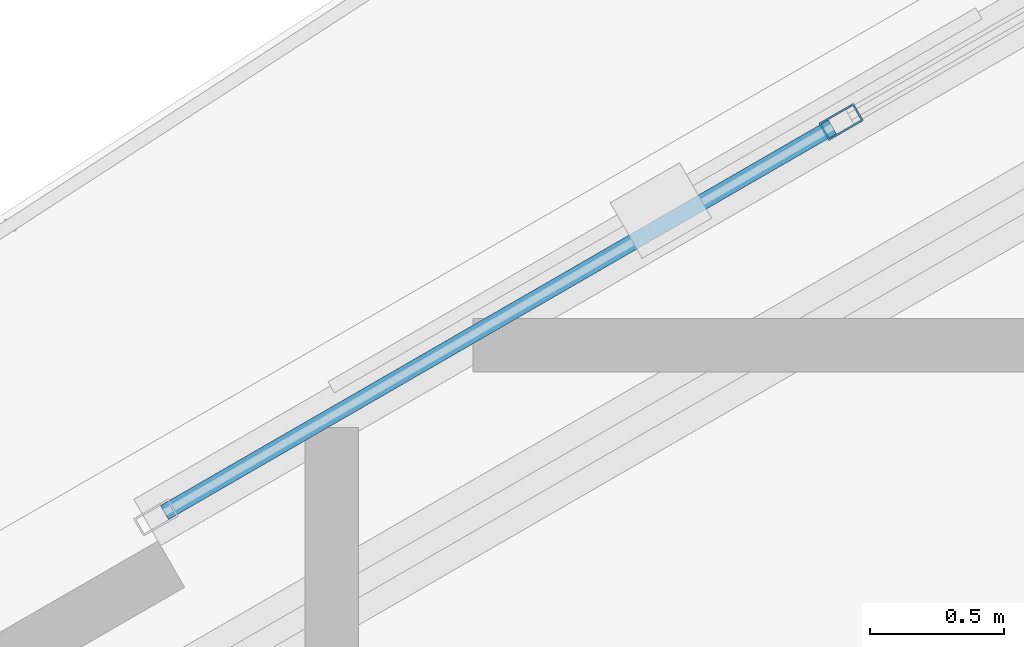
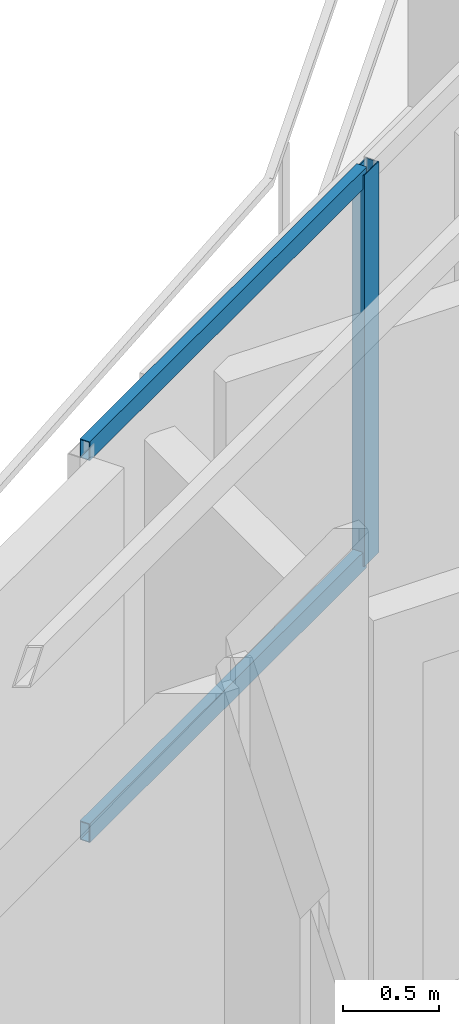
# One storey, part 8 of 22: 3 members, 1 element without a shape of its own.
"""IFC4 building model written with IfcOpenShell, lengths in metres."""

import ifcopenshell
import ifcopenshell.guid

model = None  # the IFC model being written
_history = None  # IfcOwnerHistory: only IFC2X3 demands one
_inside = {}  # id of a spatial element -> (the spatial element, [elements in it])
_under = {}  # id of a project, library or spatial element -> (it, [spatial elements below it])
_declared = {}  # id of a project -> (the project, [libraries it declares])
_typed = {}  # id of a type object -> (the type object, [elements of that type])
_made_of = {}  # id of a material, layer set ... -> (it, [elements and type objects made of it])


def new_model(schema):
    """Start an empty IFC model of exactly this schema.

    Asked for "IFC4X3", IfcOpenShell would pick the latest addendum, in which some entities
    have other attributes; the version numbers below select the first issue.
    IFC2X3 requires an IfcOwnerHistory on every rooted entity: one is made here for all.
    """
    global model, _history
    if schema == "IFC4X3":
        model = ifcopenshell.file(schema_version=(4, 3, 0, 0))
    else:
        model = ifcopenshell.file(schema=schema)
    _inside.clear()
    _under.clear()
    _declared.clear()
    _typed.clear()
    _made_of.clear()
    _history = None
    if model.schema == "IFC2X3":
        org = make("IfcOrganization", Name="unknown")
        user = make(
            "IfcPersonAndOrganization",
            ThePerson=make("IfcPerson", FamilyName="unknown"),
            TheOrganization=org,
        )
        app = make(
            "IfcApplication",
            ApplicationDeveloper=org,
            Version="unknown",
            ApplicationFullName="unknown",
            ApplicationIdentifier="unknown",
        )
        _history = make(
            "IfcOwnerHistory",
            OwningUser=user,
            OwningApplication=app,
            ChangeAction="ADDED",
            CreationDate=0,
        )
    return model


def make(cls, **values):
    """One entity of the class cls with the attributes given. An attribute that is None is left unset."""
    return model.create_entity(
        cls, **{name: value for name, value in values.items() if value is not None}
    )


def rooted(cls, **values):
    """An entity with a GlobalId (a new one), such as an element, a storey or a relation."""
    return make(cls, GlobalId=ifcopenshell.guid.new(), OwnerHistory=_history, **values)


def si_unit(unit_type, name, prefix=None):
    """IfcSIUnit, for example si_unit("LENGTHUNIT", "METRE", prefix="MILLI")."""
    return make("IfcSIUnit", UnitType=unit_type, Prefix=prefix, Name=name)


def assignment(units):
    """IfcUnitAssignment: the units of a project."""
    return None if units is None else make("IfcUnitAssignment", Units=units)


def point(xyz):
    """IfcCartesianPoint."""
    return None if xyz is None else make("IfcCartesianPoint", Coordinates=xyz)


def direction(xyz):
    """IfcDirection."""
    return None if xyz is None else make("IfcDirection", DirectionRatios=xyz)


def frame(location, z_axis=None, x_axis=None):
    """IfcAxis2Placement3D, a coordinate frame: its origin and axes. An axis left out is left unset."""
    return make(
        "IfcAxis2Placement3D",
        Location=point(location),
        Axis=direction(z_axis),
        RefDirection=direction(x_axis),
    )


def frame_2d(location, x_axis=None):
    """IfcAxis2Placement2D, a coordinate frame in the plane: its origin and x axis."""
    return make(
        "IfcAxis2Placement2D", Location=point(location), RefDirection=direction(x_axis)
    )


def origin():
    """The frame at (0, 0, 0) with its axes left unset."""
    return frame((0.0, 0.0, 0.0))


def origin_2d():
    """The frame at (0, 0) in the plane with its x axis left unset."""
    return frame_2d((0.0, 0.0))


def place(relative_to, where):
    """IfcLocalPlacement: puts the frame where relative to a parent placement (None: the world)."""
    return make(
        "IfcLocalPlacement", PlacementRelTo=relative_to, RelativePlacement=where
    )


def context(
    kind, dimensions, precision=None, world=None, true_north=None, identifier=None
):
    """IfcGeometricRepresentationContext, for example the 3D "Model" context."""
    return make(
        "IfcGeometricRepresentationContext",
        ContextIdentifier=identifier,
        ContextType=kind,
        CoordinateSpaceDimension=dimensions,
        Precision=precision,
        WorldCoordinateSystem=world,
        TrueNorth=true_north,
    )


def subcontext(parent, identifier, kind, view, scale=None):
    """IfcGeometricRepresentationSubContext, for example "Body" below "Model"."""
    return make(
        "IfcGeometricRepresentationSubContext",
        ContextIdentifier=identifier,
        ContextType=kind,
        ParentContext=parent,
        TargetScale=scale,
        TargetView=view,
    )


def project(units=None, contexts=None):
    """IfcProject with its units and contexts."""
    return rooted(
        "IfcProject",
        Name="project",
        RepresentationContexts=contexts,
        UnitsInContext=assignment(units),
    )


def spatial(cls, under=None, at=None, **own):
    """A site, building, storey or space (cls), placed at a placement, below another one or the project."""
    s = rooted(cls, ObjectPlacement=at, **own)
    if under is not None:
        _under.setdefault(under.id(), (under, []))[1].append(s)
    return s


def profile(cls, at=None, kind="AREA", **sizes):
    """A parametric profile (cls). Its sizes go by their IFC names, for example OverallWidth=200.0."""
    return make(cls, ProfileType=kind, Position=at, **sizes)


def hollow_rectangle(**sizes):
    """IfcRectangleHollowProfileDef."""
    return profile("IfcRectangleHollowProfileDef", **sizes)


def extrude(swept, where, along, depth):
    """IfcExtrudedAreaSolid: the profile swept, set in the frame where, extruded along a direction by depth."""
    return make(
        "IfcExtrudedAreaSolid",
        SweptArea=swept,
        Position=where,
        ExtrudedDirection=direction(along),
        Depth=depth,
    )


def shape(context_of_items, identifier, shape_type, items):
    """IfcShapeRepresentation: the items that make up one representation, for example the "Body"."""
    return make(
        "IfcShapeRepresentation",
        ContextOfItems=context_of_items,
        RepresentationIdentifier=identifier,
        RepresentationType=shape_type,
        Items=items,
    )


def material(Name=None, Category=None):
    """IfcMaterial."""
    return make("IfcMaterial", Name=Name, Category=Category)


def layer(
    of_material, thickness, ventilated=None, Name=None, Category=None, Priority=None
):
    """IfcMaterialLayer: one layer of a wall or slab, of a material (None: an air gap)."""
    return make(
        "IfcMaterialLayer",
        Material=of_material,
        LayerThickness=thickness,
        IsVentilated=ventilated,
        Name=Name,
        Category=Category,
        Priority=Priority,
    )


def layer_set(layers, Name=None):
    """IfcMaterialLayerSet."""
    return make("IfcMaterialLayerSet", MaterialLayers=layers, LayerSetName=Name)


def material_profile(
    of_material, cross_section, Name=None, Category=None, Priority=None
):
    """IfcMaterialProfile: a cross section and its material."""
    return make(
        "IfcMaterialProfile",
        Name=Name,
        Material=of_material,
        Profile=cross_section,
        Priority=Priority,
        Category=Category,
    )


def profile_set(profiles, Name=None, composite=None):
    """IfcMaterialProfileSet."""
    return make(
        "IfcMaterialProfileSet",
        Name=Name,
        MaterialProfiles=profiles,
        CompositeProfile=composite,
    )


def made_of(thing, what):
    """Note that an element or type object is made of a material, layer set ...; save() writes the relation."""
    if what is not None:
        _made_of.setdefault(what.id(), (what, []))[1].append(thing)
    return thing


def type_object(cls, material=None, **own):
    """A type object (cls), such as IfcWallType, which elements share."""
    return made_of(rooted(cls, **own), material)


def element(
    cls,
    number,
    at=None,
    inside=None,
    cuts=None,
    type_object=None,
    material=None,
    context=None,
    identifier="Body",
    shape_type=None,
    held_by="IfcProductDefinitionShape",
    body=None,
    shapes=None,
    **own,
):
    """One element of the class cls, such as IfcWall. Its Tag is "e" and its number.

    at: its placement. inside: the storey or other place that contains it. cuts: it is an
    opening in that element (IfcRelVoidsElement). A single representation is given by context,
    identifier, shape_type and body (its items); several are given by shapes. held_by: the class
    of the entity that holds the representations. save() writes the other relations.
    """
    e = rooted(cls, Tag="e%d" % number, ObjectPlacement=at, **own)
    if body is not None:
        shapes = [shape(context, identifier, shape_type, body)]
    if shapes is not None:
        e.Representation = make(held_by, Representations=shapes)
    if inside is not None:
        _inside.setdefault(inside.id(), (inside, []))[1].append(e)
    if cuts is not None:
        rooted(
            "IfcRelVoidsElement", RelatingBuildingElement=cuts, RelatedOpeningElement=e
        )
    if type_object is not None:
        _typed.setdefault(type_object.id(), (type_object, []))[1].append(e)
    return made_of(e, material)


def aggregate(whole, parts):
    """IfcRelAggregates: a whole, such as a stair, and the parts it consists of."""
    return rooted("IfcRelAggregates", RelatingObject=whole, RelatedObjects=parts)


def save(model, path):
    """Write the relations noted so far, then the file.

    IfcRelAggregates (storeys below a building ...), IfcRelContainedInSpatialStructure (elements
    in a storey), IfcRelDefinesByType, IfcRelAssociatesMaterial and IfcRelDeclares: one each for
    every whole, place, type object, material and project.
    """
    for whole, parts in _under.values():
        aggregate(whole, parts)
    for where, things in _inside.values():
        rooted(
            "IfcRelContainedInSpatialStructure",
            RelatedElements=things,
            RelatingStructure=where,
        )
    for kind, things in _typed.values():
        rooted("IfcRelDefinesByType", RelatedObjects=things, RelatingType=kind)
    for what, things in _made_of.values():
        rooted("IfcRelAssociatesMaterial", RelatedObjects=things, RelatingMaterial=what)
    for by, libraries in _declared.values():
        rooted("IfcRelDeclares", RelatingContext=by, RelatedDefinitions=libraries)
    model.write(path)


model = new_model("IFC4")

# Units and contexts
model_context = context("Model", 3, precision=1e-05, world=origin(), true_north=direction((0.0, 1.0)))
body_context = subcontext(model_context, "Body", "Model", "MODEL_VIEW")
ifc_project = project(units=[si_unit("LENGTHUNIT", "METRE"), si_unit("AREAUNIT", "SQUARE_METRE"), si_unit("VOLUMEUNIT", "CUBIC_METRE"), si_unit("PLANEANGLEUNIT", "RADIAN"), si_unit("MASSUNIT", "GRAM", prefix="KILO")], contexts=[model_context])

# Site, building, storey
site_placement = place(None, origin())
site = spatial("IfcSite", under=ifc_project, at=site_placement, CompositionType="ELEMENT")
building_placement = place(site_placement, origin())
building = spatial("IfcBuilding", under=site, at=building_placement, Name="Mersakhor Tower and Convention Hall", CompositionType="ELEMENT")
storey_placement = place(building_placement, frame((0.0, 0.0, 201.89990234375)))
storey = spatial("IfcBuildingStorey", under=building, at=storey_placement, Name="L56", CompositionType="ELEMENT", Elevation=201.89990234375)

# Curtain wall, members
ifc_material_1 = material(Name="Dark solar low-E aluminium curtain wall", Category="aluminium")
ifc_layer = layer(ifc_material_1, 0.169921875)
ifc_layer_set = layer_set([ifc_layer], Name="Dark solar low-E aluminium curtain wall")
curtain_wall_type = type_object("IfcCurtainWallType", Name="CW-SYS-02", PredefinedType="USERDEFINED", material=ifc_layer_set)
curtain_wall_placement = place(storey_placement, origin())
curtain_wall = element("IfcCurtainWall", 1, at=curtain_wall_placement, inside=storey, type_object=curtain_wall_type, Name="L56 Dark-Glass Curtain Wall F1-B2", ObjectType="CURTAIN WALL", PredefinedType="USERDEFINED")
ifc_material_2 = material(Name="Anodised aluminium EN AW-6063 T6", Category="aluminium")
ifc_material_profile_1 = material_profile(ifc_material_2, hollow_rectangle(XDim=0.074951171875, YDim=0.14990234375, WallThickness=0.00634765625, at=origin_2d()), Name="RHS 150x75x6.3")
ifc_profile_set_1 = profile_set([ifc_material_profile_1], Name="Anodised aluminium EN AW-6063 T6")
member_type_1 = type_object("IfcMemberType", Name="CWM-150x75", PredefinedType="MULLION", material=ifc_profile_set_1)
member_1_placement = place(storey_placement, frame((21.906982421875, 36.035888671875, 0.2001953125), z_axis=(0.0, 0.0, 1.0), x_axis=(-0.500007824483, 0.86602088627, 0.0)))
member_1 = element("IfcMember", 2, at=member_1_placement, type_object=member_type_1, Name="CW-02 mullion 2", PredefinedType="MULLION", context=body_context, shape_type="SweptSolid", body=[
    extrude(hollow_rectangle(XDim=0.074951171875, YDim=0.14990234375, WallThickness=0.00634765625, at=origin_2d()), origin(), (0.0, 0.0, 1.0), 2.489990234375),
])
ifc_material_3 = material(Name="Anodised aluminium EN AW-6063 T6", Category="aluminium")
ifc_material_profile_2 = material_profile(ifc_material_3, hollow_rectangle(XDim=0.06005859375, YDim=0.1201171875, WallThickness=0.0048828125, at=origin_2d()), Name="RHS 120x60x5")
ifc_profile_set_2 = profile_set([ifc_material_profile_2], Name="Anodised aluminium EN AW-6063 T6")
member_type_2 = type_object("IfcMemberType", Name="CWT-120x60", PredefinedType="USERDEFINED", material=ifc_profile_set_2)
member_2_placement = place(storey_placement, frame((19.374267578125, 34.573486328125, 0.22998046875), z_axis=(0.86601237176, 0.50002257145, 0.0), x_axis=(-0.50002257145, 0.86601237176, 0.0)))
member_2 = element("IfcMember", 3, at=member_2_placement, type_object=member_type_2, Name="CW-02 transom 1.1", ObjectType="TRANSOM", PredefinedType="USERDEFINED", context=body_context, shape_type="SweptSolid", body=[
    extrude(hollow_rectangle(XDim=0.06005859375, YDim=0.1201171875, WallThickness=0.0048828125, at=origin_2d()), origin(), (0.0, 0.0, 1.0), 2.886962890625),
])
member_3_placement = place(storey_placement, frame((19.374267578125, 34.573486328125, 2.66015625), z_axis=(0.86601237176, 0.50002257145, 0.0), x_axis=(-0.50002257145, 0.86601237176, 0.0)))
member_3 = element("IfcMember", 4, at=member_3_placement, type_object=member_type_2, Name="CW-02 transom 1.2", ObjectType="TRANSOM", PredefinedType="USERDEFINED", context=body_context, shape_type="SweptSolid", body=[
    extrude(hollow_rectangle(XDim=0.06005859375, YDim=0.1201171875, WallThickness=0.0048828125, at=origin_2d()), origin(), (0.0, 0.0, 1.0), 2.886962890625),
])
aggregate(curtain_wall, [member_1, member_2, member_3])

save(model, "model.ifc")
